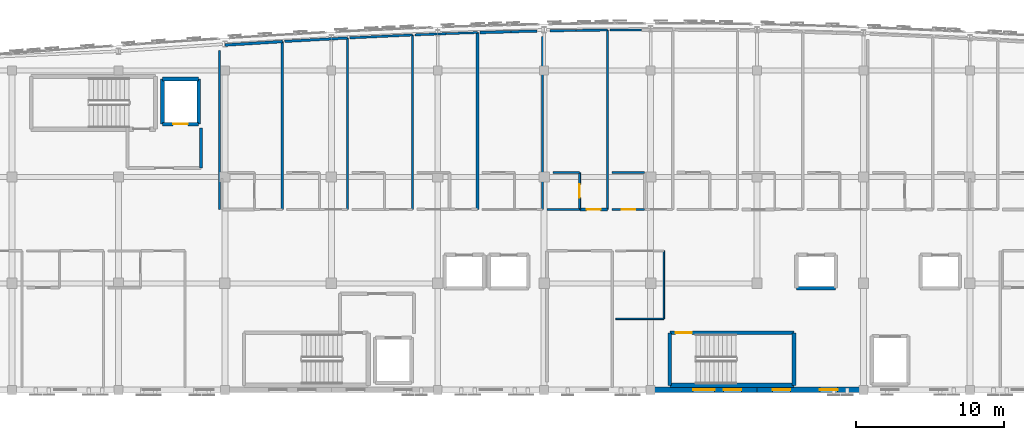
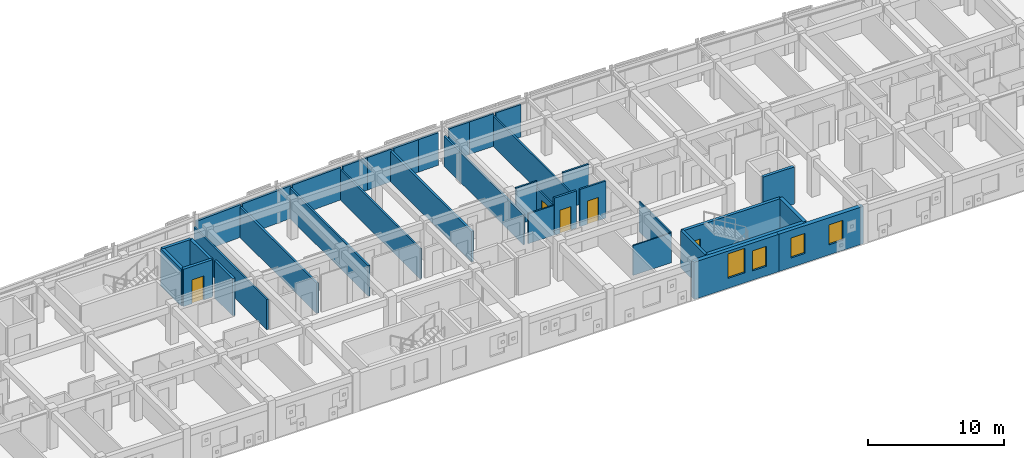
# One storey, part 39 of 48: 37 walls, 5 doors, 4 windows, 9 openings.
"""IFC4 building model written with IfcOpenShell, lengths in metres."""

from ifc_helpers import new_model, si_unit, direction, frame, frame_2d, origin, place, context, subcontext, project, spatial, rectangle, extrude, material, layer, layer_set, type_object, element, fill, save


model = new_model("IFC4")

# Units and contexts
model_context = context("Model", 3, precision=1e-05, world=origin(), true_north=direction((0.0, 1.0)))
body_context = subcontext(model_context, "Body", "Model", "MODEL_VIEW")
ifc_project = project(units=[si_unit("LENGTHUNIT", "METRE"), si_unit("AREAUNIT", "SQUARE_METRE"), si_unit("VOLUMEUNIT", "CUBIC_METRE"), si_unit("PLANEANGLEUNIT", "RADIAN"), si_unit("MASSUNIT", "GRAM", prefix="KILO")], contexts=[model_context])

# Site, building, storey
site_placement = place(None, origin())
site = spatial("IfcSite", under=ifc_project, at=site_placement, CompositionType="ELEMENT")
building_placement = place(site_placement, origin())
building = spatial("IfcBuilding", under=site, at=building_placement, Name="Carrowvane Square Congress Hotel", CompositionType="ELEMENT")
storey_placement = place(building_placement, frame((0.0, 0.0, 26.39990234375)))
storey = spatial("IfcBuildingStorey", under=building, at=storey_placement, Name="L06", CompositionType="ELEMENT", Elevation=26.39990234375)

# Wall, openings, windows
ifc_material_1 = material(Name="Glazed terracotta rainscreen", Category="masonry")
ifc_layer_1 = layer(ifc_material_1, 0.360107421875)
ifc_layer_set_1 = layer_set([ifc_layer_1], Name="Glazed terracotta rainscreen")
wall_type_1 = type_object("IfcWallType", Name="WL-EXT-TC360", PredefinedType="STANDARD", material=ifc_layer_set_1)
wall_1_placement = place(storey_placement, frame((112.39990234375, 91.800048828125, 0.0), z_axis=(0.0, 0.0, 1.0), x_axis=(-1.0, 0.0, 0.0)))
wall_1 = element("IfcWall", 1, at=wall_1_placement, inside=storey, type_object=wall_type_1, Name="L06 exterior facade wall 493", PredefinedType="STANDARD", context=body_context, shape_type="SweptSolid", body=[
    extrude(rectangle(XDim=7.199951171875, YDim=0.360107421875, at=frame_2d((3.60009765625, 0.0))), origin(), (0.0, 0.0, 1.0), 3.35009765625),
])
opening_1_placement = place(wall_1_placement, frame((1.75, 0.0, 0.89990234375)))
opening_1 = element("IfcOpeningElement", 2, at=opening_1_placement, cuts=wall_1, Name="Opening W-01", PredefinedType="OPENING", context=body_context, shape_type="SweptSolid", body=[
    extrude(rectangle(XDim=1.199951171875, YDim=1.800048828125, at=frame_2d((0.60009765625, 0.89990234375))), frame((0.0, 0.18994140625, 0.0), z_axis=(0.0, -1.0, 0.0), x_axis=(1.0, 0.0, 0.0)), (0.0, 0.0, 1.0), 0.380126953125),
])
opening_2_placement = place(wall_1_placement, frame((4.949951171875, 0.0, 0.85009765625)))
opening_2 = element("IfcOpeningElement", 3, at=opening_2_placement, cuts=wall_1, Name="Opening W-01", PredefinedType="OPENING", context=body_context, shape_type="SweptSolid", body=[
    extrude(rectangle(XDim=1.199951171875, YDim=1.800048828125, at=frame_2d((0.60009765625, 0.89990234375))), frame((0.0, 0.18994140625, 0.0), z_axis=(0.0, -1.0, 0.0), x_axis=(1.0, 0.0, 0.0)), (0.0, 0.0, 1.0), 0.380126953125),
])
ifc_material_2 = material(Name="Double-glazed low-E glass", Category="glass")
window_type_1 = type_object("IfcWindowType", Name="WIN-01", PartitioningType="SINGLE_PANEL", PredefinedType="WINDOW", material=ifc_material_2)
window_1_placement = place(opening_1_placement, origin())
window_1 = element("IfcWindow", 4, at=window_1_placement, inside=storey, type_object=window_type_1, Name="L06 facade window 323", OverallHeight=1.800048828125, OverallWidth=1.199951171875, PartitioningType="SINGLE_PANEL", PredefinedType="WINDOW", context=body_context, shape_type="SweptSolid", body=[
    extrude(rectangle(XDim=1.199951171875, YDim=1.800048828125, at=frame_2d((0.60009765625, 0.89990234375))), frame((0.0, 0.030029296875, 0.0), z_axis=(0.0, -1.0, 0.0), x_axis=(1.0, 0.0, 0.0)), (0.0, 0.0, 1.0), 0.06005859375),
])
fill(opening_1, window_1)
window_2_placement = place(opening_2_placement, origin())
window_2 = element("IfcWindow", 5, at=window_2_placement, inside=storey, type_object=window_type_1, Name="L06 guest bedroom window 324", OverallHeight=1.800048828125, OverallWidth=1.199951171875, PartitioningType="SINGLE_PANEL", PredefinedType="WINDOW", context=body_context, shape_type="SweptSolid", body=[
    extrude(rectangle(XDim=1.199951171875, YDim=1.800048828125, at=frame_2d((0.60009765625, 0.89990234375))), frame((0.0, 0.030029296875, 0.0), z_axis=(0.0, -1.0, 0.0), x_axis=(1.0, 0.0, 0.0)), (0.0, 0.0, 1.0), 0.06005859375),
])
fill(opening_2, window_2)

wall_2_placement = place(storey_placement, frame((105.199951171875, 91.800048828125, 0.0), z_axis=(0.0, 0.0, 1.0), x_axis=(-1.0, 0.0, 0.0)))
wall_2 = element("IfcWall", 6, at=wall_2_placement, inside=storey, type_object=wall_type_1, Name="L06 exterior facade wall 494", PredefinedType="STANDARD", context=body_context, shape_type="SweptSolid", body=[
    extrude(rectangle(XDim=7.199951171875, YDim=0.360107421875, at=frame_2d((3.60009765625, 0.0))), origin(), (0.0, 0.0, 1.0), 3.35009765625),
])
opening_3_placement = place(wall_2_placement, frame((2.875, 0.0, 0.89990234375)))
opening_3 = element("IfcOpeningElement", 7, at=opening_3_placement, cuts=wall_2, Name="Opening W-33", PredefinedType="OPENING", context=body_context, shape_type="SweptSolid", body=[
    extrude(rectangle(XDim=1.449951171875, YDim=2.199951171875, at=frame_2d((0.72509765625, 1.10009765625))), frame((0.0, 0.18994140625, 0.0), z_axis=(0.0, -1.0, 0.0), x_axis=(1.0, 0.0, 0.0)), (0.0, 0.0, 1.0), 0.380126953125),
])
opening_4_placement = place(wall_2_placement, frame((1.050048828125, 0.0, 0.85009765625)))
opening_4 = element("IfcOpeningElement", 8, at=opening_4_placement, cuts=wall_2, Name="Opening W-01", PredefinedType="OPENING", context=body_context, shape_type="SweptSolid", body=[
    extrude(rectangle(XDim=1.199951171875, YDim=1.800048828125, at=frame_2d((0.60009765625, 0.89990234375))), frame((0.0, 0.18994140625, 0.0), z_axis=(0.0, -1.0, 0.0), x_axis=(1.0, 0.0, 0.0)), (0.0, 0.0, 1.0), 0.380126953125),
])
window_3_placement = place(opening_4_placement, origin())
window_3 = element("IfcWindow", 9, at=window_3_placement, inside=storey, type_object=window_type_1, Name="L06 guest bedroom window 326", OverallHeight=1.800048828125, OverallWidth=1.199951171875, PartitioningType="SINGLE_PANEL", PredefinedType="WINDOW", context=body_context, shape_type="SweptSolid", body=[
    extrude(rectangle(XDim=1.199951171875, YDim=1.800048828125, at=frame_2d((0.60009765625, 0.89990234375))), frame((0.0, 0.030029296875, 0.0), z_axis=(0.0, -1.0, 0.0), x_axis=(1.0, 0.0, 0.0)), (0.0, 0.0, 1.0), 0.06005859375),
])
fill(opening_4, window_3)
ifc_material_3 = material(Name="Double-glazed low-E glass", Category="glass")
window_type_2 = type_object("IfcWindowType", Name="WIN-33", PartitioningType="SINGLE_PANEL", PredefinedType="WINDOW", material=ifc_material_3)
window_4_placement = place(opening_3_placement, origin())
window_4 = element("IfcWindow", 10, at=window_4_placement, inside=storey, type_object=window_type_2, Name="L06 facade window 325", OverallHeight=2.199951171875, OverallWidth=1.449951171875, PartitioningType="SINGLE_PANEL", PredefinedType="WINDOW", context=body_context, shape_type="SweptSolid", body=[
    extrude(rectangle(XDim=1.449951171875, YDim=2.199951171875, at=frame_2d((0.72509765625, 1.10009765625))), frame((0.0, 0.030029296875, 0.0), z_axis=(0.0, -1.0, 0.0), x_axis=(1.0, 0.0, 0.0)), (0.0, 0.0, 1.0), 0.06005859375),
])
fill(opening_3, window_4)

# Walls
ifc_material_4 = material(Name="Acoustic gypsum board", Category="gypsum")
ifc_layer_2 = layer(ifc_material_4, 0.155029296875)
ifc_layer_set_2 = layer_set([ifc_layer_2], Name="Acoustic gypsum board")
wall_type_2 = type_object("IfcWallType", Name="WL-FIR-155", PredefinedType="PARTITIONING", material=ifc_layer_set_2)
wall_3_placement = place(storey_placement, frame((77.489990234375, 115.6025390625, 0.0), z_axis=(0.0, 0.0, 1.0), x_axis=(0.0, -1.0, 0.0)))
element("IfcWall", 11, at=wall_3_placement, inside=storey, type_object=wall_type_2, Name="L06 Parkview Guest Bedroom 0613 partition", PredefinedType="PARTITIONING", context=body_context, shape_type="SweptSolid", body=[
    extrude(rectangle(XDim=11.6025390625, YDim=0.155029296875, at=frame_2d((5.80126953125, 0.0))), origin(), (0.0, 0.0, 1.0), 2.735107421875),
])
wall_4_placement = place(storey_placement, frame((77.64990234375, 115.610595703125, 0.0), z_axis=(0.0, 0.0, 1.0), x_axis=(0.998946003573, 0.045900783719, 0.0)))
element("IfcWall", 12, at=wall_4_placement, inside=storey, type_object=wall_type_2, Name="L06 Parkview Guest Bedroom 0614 partition", PredefinedType="PARTITIONING", context=body_context, shape_type="SweptSolid", body=[
    extrude(rectangle(XDim=4.244384765625, YDim=0.155029296875, at=frame_2d((2.1220703125, 0.0))), origin(), (0.0, 0.0, 1.0), 2.92578125),
])
wall_5_placement = place(storey_placement, frame((90.68994140625, 115.71728515625, 0.0), z_axis=(0.0, 0.0, 1.0), x_axis=(0.0, -1.0, 0.0)))
element("IfcWall", 13, at=wall_5_placement, inside=storey, type_object=wall_type_2, Name="L06 Parkview Guest Bedroom 0616 partition", PredefinedType="PARTITIONING", context=body_context, shape_type="SweptSolid", body=[
    extrude(rectangle(XDim=11.71728515625, YDim=0.155029296875, at=frame_2d((5.858642578125, 0.0))), origin(), (0.0, 0.0, 1.0), 2.68505859375),
])
wall_6_placement = place(storey_placement, frame((91.2099609375, 116.08642578125, 0.0), z_axis=(0.0, 0.0, 1.0), x_axis=(0.999868324223, 0.016227575799, 0.0)))
element("IfcWall", 14, at=wall_6_placement, inside=storey, type_object=wall_type_2, Name="L06 Parkview Guest Bedroom 0617 partition", PredefinedType="PARTITIONING", context=body_context, shape_type="SweptSolid", body=[
    extrude(rectangle(XDim=1.76025390625, YDim=0.155029296875, at=frame_2d((0.880126953125, 0.0))), origin(), (0.0, 0.0, 1.0), 2.92578125),
])
wall_7_placement = place(storey_placement, frame((95.39990234375, 106.5, 0.0), z_axis=(0.0, 0.0, 1.0), x_axis=(1.0, 0.0, 0.0)))
element("IfcWall", 15, at=wall_7_placement, inside=storey, type_object=wall_type_2, Name="L06 En-suite Bathroom 0618 partition", PredefinedType="PARTITIONING", context=body_context, shape_type="SweptSolid", body=[
    extrude(rectangle(XDim=2.2001953125, YDim=0.155029296875, at=frame_2d((1.10009765625, 0.0))), origin(), (0.0, 0.0, 1.0), 3.35009765625),
])
ifc_material_5 = material(Name="Acoustic gypsum board", Category="gypsum")
ifc_layer_3 = layer(ifc_material_5, 0.169921875)
ifc_layer_set_3 = layer_set([ifc_layer_3], Name="Acoustic gypsum board")
wall_type_3 = type_object("IfcWallType", Name="WL-FIR-170", PredefinedType="PARTITIONING", material=ifc_layer_set_3)
wall_8_placement = place(storey_placement, frame((73.090087890625, 115.362060546875, 0.0), z_axis=(0.0, 0.0, 1.0), x_axis=(0.0, -1.0, 0.0)))
element("IfcWall", 16, at=wall_8_placement, inside=storey, type_object=wall_type_3, Name="L06 Parkview Guest Bedroom 0612 partition", PredefinedType="PARTITIONING", context=body_context, shape_type="SweptSolid", body=[
    extrude(rectangle(XDim=11.362060546875, YDim=0.169921875, at=frame_2d((5.68115234375, 0.0))), origin(), (0.0, 0.0, 1.0), 2.735107421875),
])
wall_9_placement = place(storey_placement, frame((73.25, 115.37158203125, 0.0), z_axis=(0.0, 0.0, 1.0), x_axis=(0.998519741604, 0.054390492057, 0.0)))
element("IfcWall", 17, at=wall_9_placement, inside=storey, type_object=wall_type_3, Name="L06 Parkview Guest Bedroom 0613 partition", PredefinedType="PARTITIONING", context=body_context, shape_type="SweptSolid", body=[
    extrude(rectangle(XDim=4.246337890625, YDim=0.169921875, at=frame_2d((2.123046875, 0.0))), origin(), (0.0, 0.0, 1.0), 2.92578125),
])
wall_10_placement = place(storey_placement, frame((88.570068359375, 116.029541015625, 0.0), z_axis=(0.0, 0.0, 1.0), x_axis=(0.999747602217, 0.022466238252, 0.0)))
element("IfcWall", 18, at=wall_10_placement, inside=storey, type_object=wall_type_3, Name="L06 Parkview Guest Bedroom 0616 partition", PredefinedType="PARTITIONING", context=body_context, shape_type="SweptSolid", body=[
    extrude(rectangle(XDim=1.760498046875, YDim=0.169921875, at=frame_2d((0.88037109375, 0.0))), origin(), (0.0, 0.0, 1.0), 2.92578125),
])
ifc_material_6 = material(Name="Acoustic gypsum board", Category="gypsum")
ifc_layer_4 = layer(ifc_material_6, 0.18505859375)
ifc_layer_set_4 = layer_set([ifc_layer_4], Name="Acoustic gypsum board")
wall_type_4 = type_object("IfcWallType", Name="WL-FIR-185", PredefinedType="PARTITIONING", material=ifc_layer_set_4)
wall_11_placement = place(storey_placement, frame((69.209228515625, 115.12353515625, 0.0), z_axis=(0.0, 0.0, 1.0), x_axis=(0.998116545587, 0.061346242139, 0.0)))
element("IfcWall", 19, at=wall_11_placement, inside=storey, type_object=wall_type_4, Name="L06 Parkview Guest Bedroom 0612 partition", PredefinedType="PARTITIONING", context=body_context, shape_type="SweptSolid", body=[
    extrude(rectangle(XDim=3.88818359375, YDim=0.18505859375, at=frame_2d((1.944091796875, 0.0))), origin(), (0.0, 0.0, 1.0), 2.92578125),
])
wall_12_placement = place(storey_placement, frame((86.2900390625, 115.96533203125, 0.0), z_axis=(0.0, 0.0, 1.0), x_axis=(0.0, -1.0, 0.0)))
element("IfcWall", 20, at=wall_12_placement, inside=storey, type_object=wall_type_4, Name="L06 Parkview Guest Bedroom 0615 partition", PredefinedType="PARTITIONING", context=body_context, shape_type="SweptSolid", body=[
    extrude(rectangle(XDim=11.96533203125, YDim=0.18505859375, at=frame_2d((5.982666015625, 0.0))), origin(), (0.0, 0.0, 1.0), 2.735107421875),
])
wall_13_placement = place(storey_placement, frame((86.449951171875, 115.9697265625, 0.0), z_axis=(0.0, 0.0, 1.0), x_axis=(0.999602256239, 0.028201583692, 0.0)))
element("IfcWall", 21, at=wall_13_placement, inside=storey, type_object=wall_type_4, Name="L06 Parkview Guest Bedroom 0616 partition", PredefinedType="PARTITIONING", context=body_context, shape_type="SweptSolid", body=[
    extrude(rectangle(XDim=2.120849609375, YDim=0.18505859375, at=frame_2d((1.060546875, 0.0))), origin(), (0.0, 0.0, 1.0), 2.92578125),
])

# Wall, opening, door
wall_14_placement = place(storey_placement, frame((95.090087890625, 104.0, 0.0), z_axis=(0.0, 0.0, 1.0), x_axis=(-1.0, 0.0, 0.0)))
wall_14 = element("IfcWall", 22, at=wall_14_placement, inside=storey, type_object=wall_type_4, Name="L06 Parkview Guest Bedroom 0617 partition", PredefinedType="PARTITIONING", context=body_context, shape_type="SweptSolid", body=[
    extrude(rectangle(XDim=1.880126953125, YDim=0.18505859375, at=frame_2d((0.93994140625, 0.0))), origin(), (0.0, 0.0, 1.0), 3.35009765625),
])
opening_5_placement = place(wall_14_placement, frame((0.465087890625, 0.0, 0.0)))
opening_5 = element("IfcOpeningElement", 23, at=opening_5_placement, cuts=wall_14, Name="Opening FD-06", PredefinedType="OPENING", context=body_context, shape_type="SweptSolid", body=[
    extrude(rectangle(XDim=0.949951171875, YDim=2.10009765625, at=frame_2d((0.47509765625, 1.050048828125))), frame((0.0, 0.1025390625, 0.0), z_axis=(0.0, -1.0, 0.0), x_axis=(1.0, 0.0, 0.0)), (0.0, 0.0, 1.0), 0.205078125),
])
ifc_material_7 = material(Name="European oak timber", Category="wood")
door_type_1 = type_object("IfcDoorType", Name="DR-FD30-0950x2100", OperationType="NOTDEFINED", PredefinedType="DOOR", material=ifc_material_7)
door_1_placement = place(opening_5_placement, origin())
door_1 = element("IfcDoor", 24, at=door_1_placement, inside=storey, type_object=door_type_1, Name="L06 Parkview Guest Bedroom 0617 entrance door", OperationType="SINGLE_SWING_LEFT", OverallHeight=2.10009765625, OverallWidth=0.949951171875, PredefinedType="DOOR", context=body_context, shape_type="SweptSolid", body=[
    extrude(rectangle(XDim=0.949951171875, YDim=2.10009765625, at=frame_2d((0.47509765625, 1.050048828125))), frame((0.0, 0.02490234375, 0.0), z_axis=(0.0, -1.0, 0.0), x_axis=(1.0, 0.0, 0.0)), (0.0, 0.0, 1.0), 0.050048828125),
])
fill(opening_5, door_1)

# Walls
ifc_material_8 = material(Name="Acoustic gypsum board", Category="gypsum")
ifc_layer_5 = layer(ifc_material_8, 0.205078125)
ifc_layer_set_5 = layer_set([ifc_layer_5], Name="Acoustic gypsum board")
wall_type_5 = type_object("IfcWallType", Name="WL-FIR-205", PredefinedType="PARTITIONING", material=ifc_layer_set_5)
wall_15_placement = place(storey_placement, frame((67.60009765625, 106.800048828125, 0.0), z_axis=(0.0, 0.0, 1.0), x_axis=(0.0, 1.0, 0.0)))
element("IfcWall", 25, at=wall_15_placement, inside=storey, type_object=wall_type_5, Name="L06 Firefighting Lobby C1 wall east", PredefinedType="PARTITIONING", context=body_context, shape_type="SweptSolid", body=[
    extrude(rectangle(XDim=2.699951171875, YDim=0.205078125, at=frame_2d((1.35009765625, 0.0))), origin(), (0.0, 0.0, 1.0), 3.35009765625),
])
ifc_material_9 = material(Name="Acoustic gypsum board", Category="gypsum")
ifc_layer_6 = layer(ifc_material_9, 0.097900390625)
ifc_layer_set_6 = layer_set([ifc_layer_6], Name="Acoustic gypsum board")
wall_type_6 = type_object("IfcWallType", Name="WL-PRT-098", PredefinedType="PARTITIONING", material=ifc_layer_set_6)
wall_16_placement = place(storey_placement, frame((98.89990234375, 96.60009765625, 0.0), z_axis=(0.0, 0.0, 1.0), x_axis=(-1.0, 0.0, 0.0)))
element("IfcWall", 26, at=wall_16_placement, inside=storey, type_object=wall_type_6, Name="L06 L06 Accessible Guest WC partition", PredefinedType="PARTITIONING", context=body_context, shape_type="SweptSolid", body=[
    extrude(rectangle(XDim=3.25, YDim=0.097900390625, at=frame_2d((1.625, 0.0))), origin(), (0.0, 0.0, 1.0), 2.68505859375),
])
ifc_material_10 = material(Name="Acoustic gypsum board", Category="gypsum")
ifc_layer_7 = layer(ifc_material_10, 0.10791015625)
ifc_layer_set_7 = layer_set([ifc_layer_7], Name="Acoustic gypsum board")
wall_type_7 = type_object("IfcWallType", Name="WL-PRT-108", PredefinedType="PARTITIONING", material=ifc_layer_set_7)
wall_17_placement = place(storey_placement, frame((98.89990234375, 101.199951171875, 0.0), z_axis=(0.0, 0.0, 1.0), x_axis=(0.0, -1.0, 0.0)))
element("IfcWall", 27, at=wall_17_placement, inside=storey, type_object=wall_type_7, Name="L06 L06 Accessible Guest WC partition", PredefinedType="PARTITIONING", context=body_context, shape_type="SweptSolid", body=[
    extrude(rectangle(XDim=4.599853515625, YDim=0.10791015625, at=frame_2d((2.2998046875, 0.0))), origin(), (0.0, 0.0, 1.0), 2.735107421875),
])
ifc_material_11 = material(Name="Acoustic gypsum board", Category="gypsum")
ifc_layer_8 = layer(ifc_material_11, 0.117919921875)
ifc_layer_set_8 = layer_set([ifc_layer_8], Name="Acoustic gypsum board")
wall_type_8 = type_object("IfcWallType", Name="WL-PRT-118", PredefinedType="PARTITIONING", material=ifc_layer_set_8)
wall_18_placement = place(storey_placement, frame((93.199951171875, 104.0, 0.0), z_axis=(0.0, 0.0, 1.0), x_axis=(-1.0, 0.0, 0.0)))
element("IfcWall", 28, at=wall_18_placement, inside=storey, type_object=wall_type_8, Name="L06 En-suite Bathroom 0617 partition", PredefinedType="PARTITIONING", context=body_context, shape_type="SweptSolid", body=[
    extrude(rectangle(XDim=2.199951171875, YDim=0.117919921875, at=frame_2d((1.10009765625, 0.0))), origin(), (0.0, 0.0, 1.0), 2.68505859375),
])

# Wall, opening, door
ifc_material_12 = material(Name="Acoustic gypsum board", Category="gypsum")
ifc_layer_9 = layer(ifc_material_12, 0.1279296875)
ifc_layer_set_9 = layer_set([ifc_layer_9], Name="Acoustic gypsum board")
wall_type_9 = type_object("IfcWallType", Name="WL-PRT-128", PredefinedType="PARTITIONING", material=ifc_layer_set_9)
wall_19_placement = place(storey_placement, frame((93.199951171875, 106.5, 0.0), z_axis=(0.0, 0.0, 1.0), x_axis=(0.0, -1.0, 0.0)))
wall_19 = element("IfcWall", 29, at=wall_19_placement, inside=storey, type_object=wall_type_9, Name="L06 En-suite Bathroom 0617 partition", PredefinedType="PARTITIONING", context=body_context, shape_type="SweptSolid", body=[
    extrude(rectangle(XDim=2.5, YDim=0.1279296875, at=frame_2d((1.25, 0.0))), origin(), (0.0, 0.0, 1.0), 2.735107421875),
])
opening_6_placement = place(wall_19_placement, frame((0.784912109375, 0.0, 0.0)))
opening_6 = element("IfcOpeningElement", 30, at=opening_6_placement, cuts=wall_19, Name="Opening ID-18", PredefinedType="OPENING", context=body_context, shape_type="SweptSolid", body=[
    extrude(rectangle(XDim=0.929931640625, YDim=2.1298828125, at=frame_2d((0.46484375, 1.06494140625))), frame((0.0, 0.073974609375, 0.0), z_axis=(0.0, -1.0, 0.0), x_axis=(1.0, 0.0, 0.0)), (0.0, 0.0, 1.0), 0.14794921875),
])
ifc_material_13 = material(Name="European oak timber", Category="wood")
door_type_2 = type_object("IfcDoorType", Name="DR-INT-0930x2130", OperationType="NOTDEFINED", PredefinedType="DOOR", material=ifc_material_13)
door_2_placement = place(opening_6_placement, origin())
door_2 = element("IfcDoor", 31, at=door_2_placement, inside=storey, type_object=door_type_2, Name="L06 En-suite Bathroom 0617 door", OperationType="SINGLE_SWING_RIGHT", OverallHeight=2.1298828125, OverallWidth=0.929931640625, PredefinedType="DOOR", context=body_context, shape_type="SweptSolid", body=[
    extrude(rectangle(XDim=0.929931640625, YDim=2.1298828125, at=frame_2d((0.46484375, 1.06494140625))), frame((0.0, 0.02490234375, 0.0), z_axis=(0.0, -1.0, 0.0), x_axis=(1.0, 0.0, 0.0)), (0.0, 0.0, 1.0), 0.050048828125),
])
fill(opening_6, door_2)

# Walls
ifc_material_14 = material(Name="Acoustic gypsum board", Category="gypsum")
ifc_layer_10 = layer(ifc_material_14, 0.137939453125)
ifc_layer_set_10 = layer_set([ifc_layer_10], Name="Acoustic gypsum board")
wall_type_10 = type_object("IfcWallType", Name="WL-PRT-138", PredefinedType="PARTITIONING", material=ifc_layer_set_10)
wall_20_placement = place(storey_placement, frame((68.85009765625, 104.0, 0.0), z_axis=(0.0, 0.0, 1.0), x_axis=(0.0, 1.0, 0.0)))
element("IfcWall", 32, at=wall_20_placement, inside=storey, type_object=wall_type_10, Name="L06 Parkview Guest Bedroom 0612 partition", PredefinedType="PARTITIONING", context=body_context, shape_type="SweptSolid", body=[
    extrude(rectangle(XDim=10.741455078125, YDim=0.137939453125, at=frame_2d((5.37060546875, 0.0))), origin(), (0.0, 0.0, 1.0), 2.735107421875),
])
wall_21_placement = place(storey_placement, frame((84.169921875, 115.893798828125, 0.0), z_axis=(0.0, 0.0, 1.0), x_axis=(0.999431284575, 0.033721023305, 0.0)))
element("IfcWall", 33, at=wall_21_placement, inside=storey, type_object=wall_type_10, Name="L06 Parkview Guest Bedroom 0615 partition", PredefinedType="PARTITIONING", context=body_context, shape_type="SweptSolid", body=[
    extrude(rectangle(XDim=2.121337890625, YDim=0.137939453125, at=frame_2d((1.060546875, 0.0))), origin(), (0.0, 0.0, 1.0), 2.92578125),
])
wall_22_placement = place(storey_placement, frame((91.409912109375, 106.5, 0.0), z_axis=(0.0, 0.0, 1.0), x_axis=(1.0, 0.0, 0.0)))
element("IfcWall", 34, at=wall_22_placement, inside=storey, type_object=wall_type_10, Name="L06 En-suite Bathroom 0617 partition", PredefinedType="PARTITIONING", context=body_context, shape_type="SweptSolid", body=[
    extrude(rectangle(XDim=1.7900390625, YDim=0.137939453125, at=frame_2d((0.89501953125, 0.0))), origin(), (0.0, 0.0, 1.0), 3.35009765625),
])
wall_23_placement = place(storey_placement, frame((95.090087890625, 116.13720703125, 0.0), z_axis=(0.0, 0.0, 1.0), x_axis=(0.0, -1.0, 0.0)))
element("IfcWall", 35, at=wall_23_placement, inside=storey, type_object=wall_type_10, Name="L06 Parkview Guest Bedroom 0617 partition", PredefinedType="PARTITIONING", context=body_context, shape_type="SweptSolid", body=[
    extrude(rectangle(XDim=12.13720703125, YDim=0.137939453125, at=frame_2d((6.068603515625, 0.0))), origin(), (0.0, 0.0, 1.0), 2.735107421875),
])

# Wall, opening, door
wall_24_placement = place(storey_placement, frame((97.60009765625, 104.0, 0.0), z_axis=(0.0, 0.0, 1.0), x_axis=(-1.0, 0.0, 0.0)))
wall_24 = element("IfcWall", 36, at=wall_24_placement, inside=storey, type_object=wall_type_10, Name="L06 En-suite Bathroom 0618 partition", PredefinedType="PARTITIONING", context=body_context, shape_type="SweptSolid", body=[
    extrude(rectangle(XDim=2.2001953125, YDim=0.137939453125, at=frame_2d((1.10009765625, 0.0))), origin(), (0.0, 0.0, 1.0), 3.35009765625),
])
opening_7_placement = place(wall_24_placement, frame((0.64990234375, 0.0, 0.0)))
opening_7 = element("IfcOpeningElement", 37, at=opening_7_placement, cuts=wall_24, Name="Opening ID-02", PredefinedType="OPENING", context=body_context, shape_type="SweptSolid", body=[
    extrude(rectangle(XDim=0.89990234375, YDim=2.080078125, at=frame_2d((0.449951171875, 1.0400390625))), frame((0.0, 0.078857421875, 0.0), z_axis=(0.0, -1.0, 0.0), x_axis=(1.0, 0.0, 0.0)), (0.0, 0.0, 1.0), 0.157958984375),
])
ifc_material_15 = material(Name="European oak timber", Category="wood")
door_type_3 = type_object("IfcDoorType", Name="DR-INT-0900x2080", OperationType="NOTDEFINED", PredefinedType="DOOR", material=ifc_material_15)
door_3_placement = place(opening_7_placement, origin())
door_3 = element("IfcDoor", 38, at=door_3_placement, inside=storey, type_object=door_type_3, Name="L06 En-suite Bathroom 0618 door", OperationType="SINGLE_SWING_RIGHT", OverallHeight=2.080078125, OverallWidth=0.89990234375, PredefinedType="DOOR", context=body_context, shape_type="SweptSolid", body=[
    extrude(rectangle(XDim=0.89990234375, YDim=2.080078125, at=frame_2d((0.449951171875, 1.0400390625))), frame((0.0, 0.02490234375, 0.0), z_axis=(0.0, -1.0, 0.0), x_axis=(1.0, 0.0, 0.0)), (0.0, 0.0, 1.0), 0.050048828125),
])
fill(opening_7, door_3)

# Walls
wall_25_placement = place(storey_placement, frame((95.25, 116.138671875, 0.0), z_axis=(0.0, 0.0, 1.0), x_axis=(0.999990426046, 0.004375821763, 0.0)))
element("IfcWall", 39, at=wall_25_placement, inside=storey, type_object=wall_type_10, Name="L06 Parkview Guest Bedroom 0618 partition", PredefinedType="PARTITIONING", context=body_context, shape_type="SweptSolid", body=[
    extrude(rectangle(XDim=2.1201171875, YDim=0.137939453125, at=frame_2d((1.06005859375, 0.0))), origin(), (0.0, 0.0, 1.0), 2.92578125),
])
ifc_material_16 = material(Name="Acoustic gypsum board", Category="gypsum")
ifc_layer_11 = layer(ifc_material_16, 0.14794921875)
ifc_layer_set_11 = layer_set([ifc_layer_11], Name="Acoustic gypsum board")
wall_type_11 = type_object("IfcWallType", Name="WL-PRT-148", PredefinedType="PARTITIONING", material=ifc_layer_set_11)
wall_26_placement = place(storey_placement, frame((81.889892578125, 115.805419921875, 0.0), z_axis=(0.0, 0.0, 1.0), x_axis=(0.0, -1.0, 0.0)))
element("IfcWall", 40, at=wall_26_placement, inside=storey, type_object=wall_type_11, Name="L06 Parkview Guest Bedroom 0614 partition", PredefinedType="PARTITIONING", context=body_context, shape_type="SweptSolid", body=[
    extrude(rectangle(XDim=11.805419921875, YDim=0.14794921875, at=frame_2d((5.90283203125, 0.0))), origin(), (0.0, 0.0, 1.0), 2.735107421875),
])
wall_27_placement = place(storey_placement, frame((82.050048828125, 115.811767578125, 0.0), z_axis=(0.0, 0.0, 1.0), x_axis=(0.999252137846, 0.03866736362, 0.0)))
element("IfcWall", 41, at=wall_27_placement, inside=storey, type_object=wall_type_11, Name="L06 Parkview Guest Bedroom 0615 partition", PredefinedType="PARTITIONING", context=body_context, shape_type="SweptSolid", body=[
    extrude(rectangle(XDim=2.121337890625, YDim=0.14794921875, at=frame_2d((1.060546875, 0.0))), origin(), (0.0, 0.0, 1.0), 2.92578125),
])
wall_28_placement = place(storey_placement, frame((92.969970703125, 116.114990234375, 0.0), z_axis=(0.0, 0.0, 1.0), x_axis=(0.999945099362, 0.01047846661, 0.0)))
element("IfcWall", 42, at=wall_28_placement, inside=storey, type_object=wall_type_11, Name="L06 Parkview Guest Bedroom 0617 partition", PredefinedType="PARTITIONING", context=body_context, shape_type="SweptSolid", body=[
    extrude(rectangle(XDim=2.1201171875, YDim=0.14794921875, at=frame_2d((1.06005859375, 0.0))), origin(), (0.0, 0.0, 1.0), 2.92578125),
])
ifc_material_17 = material(Name="Concrete C40/50", Category="concrete")
ifc_layer_12 = layer(ifc_material_17, 0.22509765625)
ifc_layer_set_12 = layer_set([ifc_layer_12], Name="Concrete C40/50")
wall_type_12 = type_object("IfcWallType", Name="WL-SHR-225", PredefinedType="SHEAR", material=ifc_layer_set_12)
wall_29_placement = place(storey_placement, frame((99.300048828125, 95.659912109375, 0.0), z_axis=(0.0, 0.0, 1.0), x_axis=(0.0, -1.0, 0.0)))
element("IfcWall", 43, at=wall_29_placement, inside=storey, type_object=wall_type_12, Name="L06 ST3 core wall west", PredefinedType="SHEAR", context=body_context, shape_type="SweptSolid", body=[
    extrude(rectangle(XDim=3.559814453125, YDim=0.22509765625, at=frame_2d((1.77978515625, 0.0))), origin(), (0.0, 0.0, 1.0), 3.35009765625),
])

# Wall, opening, door
ifc_material_18 = material(Name="Concrete C40/50", Category="concrete")
ifc_layer_13 = layer(ifc_material_18, 0.25)
ifc_layer_set_13 = layer_set([ifc_layer_13], Name="Concrete C40/50")
wall_type_13 = type_object("IfcWallType", Name="WL-SHR-250", PredefinedType="SHEAR", material=ifc_layer_set_13)
wall_30_placement = place(storey_placement, frame((107.699951171875, 95.659912109375, 0.0), z_axis=(0.0, 0.0, 1.0), x_axis=(-1.0, 0.0, 0.0)))
wall_30 = element("IfcWall", 44, at=wall_30_placement, inside=storey, type_object=wall_type_13, Name="L06 ST3 core wall north", PredefinedType="SHEAR", context=body_context, shape_type="SweptSolid", body=[
    extrude(rectangle(XDim=8.39990234375, YDim=0.25, at=frame_2d((4.199951171875, 0.0))), origin(), (0.0, 0.0, 1.0), 3.35009765625),
])
opening_8_placement = place(wall_30_placement, frame((6.909912109375, 0.0, 0.0)))
opening_8 = element("IfcOpeningElement", 45, at=opening_8_placement, cuts=wall_30, Name="Opening FD-01", PredefinedType="OPENING", context=body_context, shape_type="SweptSolid", body=[
    extrude(rectangle(XDim=1.10009765625, YDim=2.10009765625, at=frame_2d((0.550048828125, 1.050048828125))), frame((0.0, 0.135009765625, 0.0), z_axis=(0.0, -1.0, 0.0), x_axis=(1.0, 0.0, 0.0)), (0.0, 0.0, 1.0), 0.27001953125),
])
ifc_material_19 = material(Name="European oak timber", Category="wood")
door_type_4 = type_object("IfcDoorType", Name="DR-FD60-1100x2100", OperationType="NOTDEFINED", PredefinedType="DOOR", material=ifc_material_19)
door_4_placement = place(opening_8_placement, origin())
door_4 = element("IfcDoor", 46, at=door_4_placement, inside=storey, type_object=door_type_4, Name="L06 ST3 fire door", OperationType="SINGLE_SWING_RIGHT", OverallHeight=2.10009765625, OverallWidth=1.10009765625, PredefinedType="DOOR", context=body_context, shape_type="SweptSolid", body=[
    extrude(rectangle(XDim=1.10009765625, YDim=2.10009765625, at=frame_2d((0.550048828125, 1.050048828125))), frame((0.0, 0.02490234375, 0.0), z_axis=(0.0, -1.0, 0.0), x_axis=(1.0, 0.0, 0.0)), (0.0, 0.0, 1.0), 0.050048828125),
])
fill(opening_8, door_4)

wall_31_placement = place(storey_placement, frame((64.97509765625, 109.77490234375, 0.0), z_axis=(0.0, 0.0, 1.0), x_axis=(1.0, 0.0, 0.0)))
wall_31 = element("IfcWall", 47, at=wall_31_placement, inside=storey, type_object=wall_type_13, Name="L06 FFL-1 shaft wall south", PredefinedType="SHEAR", context=body_context, shape_type="SweptSolid", body=[
    extrude(rectangle(XDim=2.449951171875, YDim=0.25, at=frame_2d((1.22509765625, 0.0))), origin(), (0.0, 0.0, 1.0), 3.35009765625),
])
opening_9_placement = place(wall_31_placement, frame((0.72509765625, 0.0, 0.0)))
opening_9 = element("IfcOpeningElement", 48, at=opening_9_placement, cuts=wall_31, Name="Opening LD-FFL-1", PredefinedType="OPENING", context=body_context, shape_type="SweptSolid", body=[
    extrude(rectangle(XDim=1.0, YDim=2.14990234375, at=frame_2d((0.5, 1.074951171875))), frame((0.0, 0.135009765625, 0.0), z_axis=(0.0, -1.0, 0.0), x_axis=(1.0, 0.0, 0.0)), (0.0, 0.0, 1.0), 0.27001953125),
])
ifc_material_20 = material(Name="Stainless steel 316", Category="steel")
door_type_5 = type_object("IfcDoorType", Name="DR-LD-1000x2150", OperationType="DOUBLE_DOOR_SLIDING", PredefinedType="DOOR", material=ifc_material_20)
door_5_placement = place(opening_9_placement, origin())
door_5 = element("IfcDoor", 49, at=door_5_placement, inside=storey, type_object=door_type_5, Name="L06 FFL-1 sliding lift landing door", OperationType="DOUBLE_DOOR_SLIDING", OverallHeight=2.14990234375, OverallWidth=1.0, PredefinedType="DOOR", context=body_context, shape_type="SweptSolid", body=[
    extrude(rectangle(XDim=1.0, YDim=2.14990234375, at=frame_2d((0.5, 1.074951171875))), frame((0.0, 0.02490234375, 0.0), z_axis=(0.0, -1.0, 0.0), x_axis=(1.0, 0.0, 0.0)), (0.0, 0.0, 1.0), 0.050048828125),
])
fill(opening_9, door_5)

# Walls
wall_32_placement = place(storey_placement, frame((67.425048828125, 109.77490234375, 0.0), z_axis=(0.0, 0.0, 1.0), x_axis=(0.0, 1.0, 0.0)))
element("IfcWall", 50, at=wall_32_placement, inside=storey, type_object=wall_type_13, Name="L06 FFL-1 shaft wall east", PredefinedType="SHEAR", context=body_context, shape_type="SweptSolid", body=[
    extrude(rectangle(XDim=3.050048828125, YDim=0.25, at=frame_2d((1.52490234375, 0.0))), origin(), (0.0, 0.0, 1.0), 3.35009765625),
])
wall_33_placement = place(storey_placement, frame((67.425048828125, 112.824951171875, 0.0), z_axis=(0.0, 0.0, 1.0), x_axis=(-1.0, 0.0, 0.0)))
element("IfcWall", 51, at=wall_33_placement, inside=storey, type_object=wall_type_13, Name="L06 FFL-1 shaft wall north", PredefinedType="SHEAR", context=body_context, shape_type="SweptSolid", body=[
    extrude(rectangle(XDim=2.449951171875, YDim=0.25, at=frame_2d((1.22509765625, 0.0))), origin(), (0.0, 0.0, 1.0), 3.35009765625),
])
wall_34_placement = place(storey_placement, frame((64.97509765625, 112.824951171875, 0.0), z_axis=(0.0, 0.0, 1.0), x_axis=(0.0, -1.0, 0.0)))
element("IfcWall", 52, at=wall_34_placement, inside=storey, type_object=wall_type_13, Name="L06 FFL-1 shaft wall west", PredefinedType="SHEAR", context=body_context, shape_type="SweptSolid", body=[
    extrude(rectangle(XDim=3.050048828125, YDim=0.25, at=frame_2d((1.52490234375, 0.0))), origin(), (0.0, 0.0, 1.0), 3.35009765625),
])
wall_35_placement = place(storey_placement, frame((107.875, 98.675048828125, 0.0), z_axis=(0.0, 0.0, 1.0), x_axis=(1.0, 0.0, 0.0)))
element("IfcWall", 53, at=wall_35_placement, inside=storey, type_object=wall_type_13, Name="L06 HL-3 shaft wall south", PredefinedType="SHEAR", context=body_context, shape_type="SweptSolid", body=[
    extrude(rectangle(XDim=2.64990234375, YDim=0.25, at=frame_2d((1.324951171875, 0.0))), origin(), (0.0, 0.0, 1.0), 3.35009765625),
])
ifc_material_21 = material(Name="Concrete C40/50", Category="concrete")
ifc_layer_14 = layer(ifc_material_21, 0.27490234375)
ifc_layer_set_14 = layer_set([ifc_layer_14], Name="Concrete C40/50")
wall_type_14 = type_object("IfcWallType", Name="WL-SHR-275", PredefinedType="SHEAR", material=ifc_layer_set_14)
wall_36_placement = place(storey_placement, frame((107.699951171875, 92.10009765625, 0.0), z_axis=(0.0, 0.0, 1.0), x_axis=(0.0, 1.0, 0.0)))
element("IfcWall", 54, at=wall_36_placement, inside=storey, type_object=wall_type_14, Name="L06 ST3 core wall east", PredefinedType="SHEAR", context=body_context, shape_type="SweptSolid", body=[
    extrude(rectangle(XDim=3.559814453125, YDim=0.27490234375, at=frame_2d((1.77978515625, 0.0))), origin(), (0.0, 0.0, 1.0), 3.35009765625),
])
ifc_material_22 = material(Name="Concrete C40/50", Category="concrete")
ifc_layer_15 = layer(ifc_material_22, 0.300048828125)
ifc_layer_set_15 = layer_set([ifc_layer_15], Name="Concrete C40/50")
wall_type_15 = type_object("IfcWallType", Name="WL-SHR-300", PredefinedType="SHEAR", material=ifc_layer_set_15)
wall_37_placement = place(storey_placement, frame((99.300048828125, 92.10009765625, 0.0), z_axis=(0.0, 0.0, 1.0), x_axis=(1.0, 0.0, 0.0)))
element("IfcWall", 55, at=wall_37_placement, inside=storey, type_object=wall_type_15, Name="L06 ST3 core wall south", PredefinedType="SHEAR", context=body_context, shape_type="SweptSolid", body=[
    extrude(rectangle(XDim=8.39990234375, YDim=0.300048828125, at=frame_2d((4.199951171875, 0.0))), origin(), (0.0, 0.0, 1.0), 3.35009765625),
])

save(model, "model.ifc")
